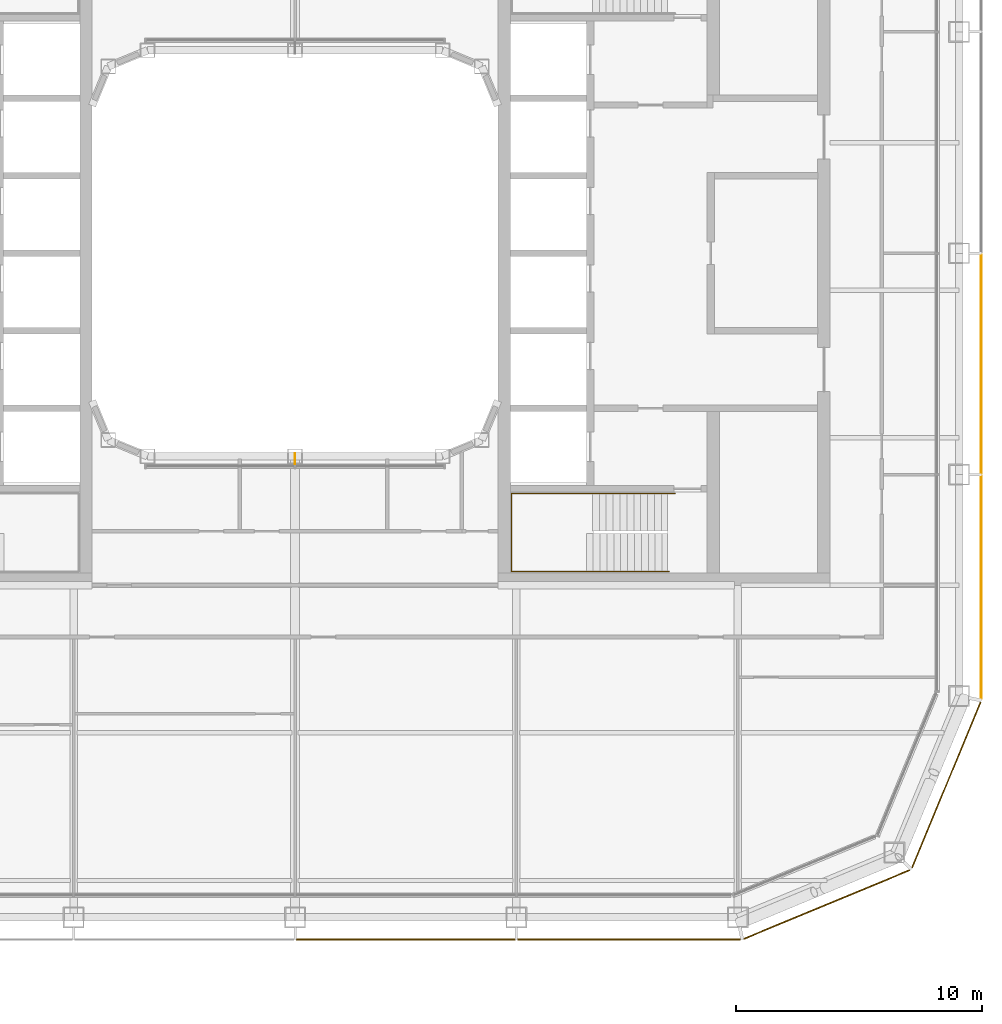
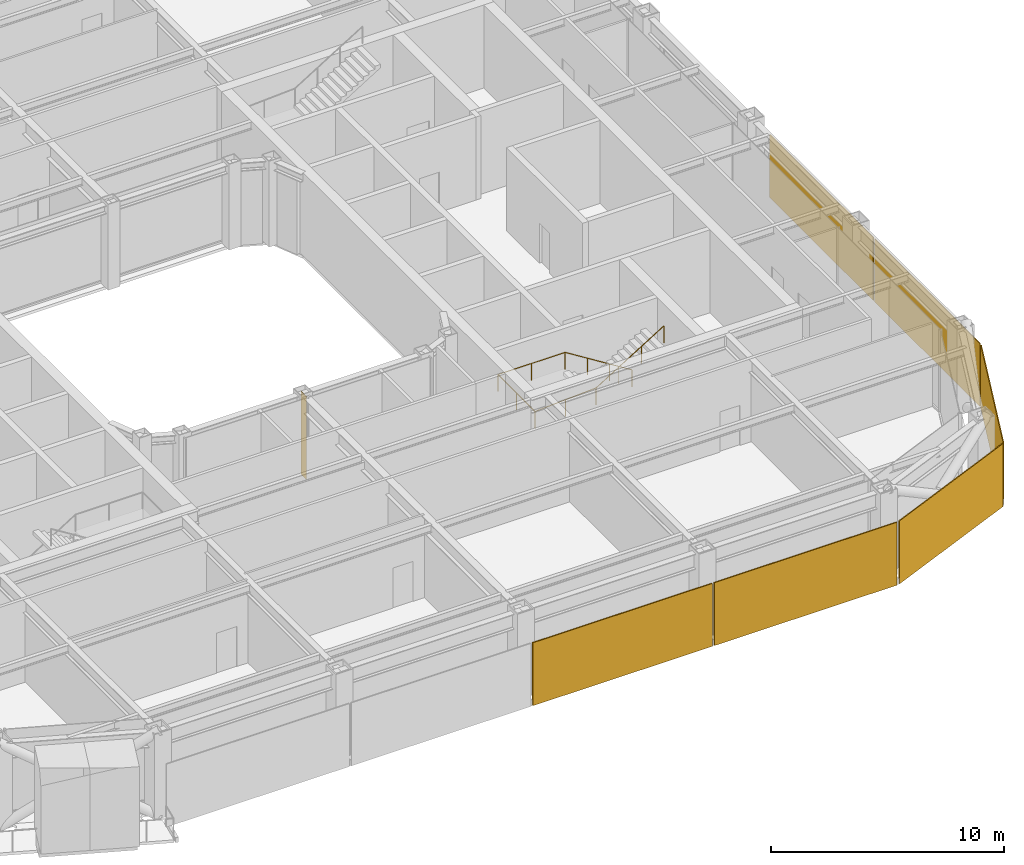
# One storey, part 20 of 23: 6 coverings, 1 railing, 1 shading device.
"""IFC4 building model written with IfcOpenShell, lengths in metres."""

from ifc_helpers import new_model, si_unit, direction, frame, origin, origin_2d, place, context, subcontext, project, spatial, rectangle, circle, extrude, material, layer, layer_set, type_object, element, save


model = new_model("IFC4")

# Units and contexts
model_context = context("Model", 3, precision=1e-05, world=origin(), true_north=direction((0.0, 1.0)))
body_context = subcontext(model_context, "Body", "Model", "MODEL_VIEW")
ifc_project = project(units=[si_unit("LENGTHUNIT", "METRE"), si_unit("AREAUNIT", "SQUARE_METRE"), si_unit("VOLUMEUNIT", "CUBIC_METRE"), si_unit("PLANEANGLEUNIT", "RADIAN"), si_unit("MASSUNIT", "GRAM", prefix="KILO")], contexts=[model_context])

# Site, building, storey
site_placement = place(None, origin())
site = spatial("IfcSite", under=ifc_project, at=site_placement, CompositionType="ELEMENT")
building_placement = place(site_placement, origin())
building = spatial("IfcBuilding", under=site, at=building_placement, Name="Siwar Civic Tower", CompositionType="ELEMENT")
storey_placement = place(building_placement, frame((0.0, 0.0, 233.199951171875)))
storey = spatial("IfcBuildingStorey", under=building, at=storey_placement, Name="L50", CompositionType="ELEMENT", Elevation=233.199951171875)

# Railing
ifc_material_1 = material(Name="Stainless steel", Category="steel")
railing_type = type_object("IfcRailingType", Name="CORE-STAIR-HANDRAIL", PredefinedType="HANDRAIL", material=ifc_material_1)
railing_placement = place(storey_placement, frame((15.449951171875, -9.758056640625, 0.173095703125)))
element("IfcRailing", 1, at=railing_placement, inside=storey, type_object=railing_type, Name="Stair handrail ST4", PredefinedType="HANDRAIL", context=body_context, shape_type="SweptSolid", body=[
    extrude(circle(Radius=0.02001953125, at=origin_2d()), frame((0.0, 0.0, 0.8798828125), z_axis=(-0.847063342986, 0.0, 0.531491950051), x_axis=(0.0, -1.0, 0.0)), (0.0, 0.0, 1.0), 3.90771484375),
    extrude(circle(Radius=0.02001953125, at=origin_2d()), frame((-3.31005859375, 0.0, 2.956787109375), z_axis=(-1.0, 0.0, 0.0), x_axis=(0.0, -1.0, 0.0)), (0.0, 0.0, 1.0), 3.331787109375),
    extrude(circle(Radius=0.02001953125, at=origin_2d()), frame((-6.641845703125, 0.0, 2.956787109375), z_axis=(0.0, -1.0, 0.0), x_axis=(1.0, 0.0, 0.0)), (0.0, 0.0, 1.0), 3.183837890625),
    extrude(circle(Radius=0.02001953125, at=origin_2d()), frame((-6.641845703125, -3.183837890625, 2.956787109375), z_axis=(0.99837434197, 0.0, 0.056997134106), x_axis=(0.0, 1.0, 0.0)), (0.0, 0.0, 1.0), 3.036865234375),
    extrude(circle(Radius=0.02001953125, at=origin_2d()), frame((-3.60986328125, -3.183837890625, 3.1298828125), z_axis=(0.850606129759, 0.0, 0.525803396734), x_axis=(0.0, 1.0, 0.0)), (0.0, 0.0, 1.0), 3.949951171875),
    extrude(circle(Radius=0.02001953125, at=origin_2d()), origin(), (0.0, 0.0, 1.0), 0.85986328125),
    extrude(circle(Radius=0.02001953125, at=origin_2d()), frame((-1.103271484375, 0.0, 0.6923828125)), (0.0, 0.0, 1.0), 0.85986328125),
    extrude(circle(Radius=0.02001953125, at=origin_2d()), frame((-2.206787109375, 0.0, 1.384521484375)), (0.0, 0.0, 1.0), 0.85986328125),
    extrude(circle(Radius=0.02001953125, at=origin_2d()), frame((-3.31005859375, 0.0, 2.076904296875)), (0.0, 0.0, 1.0), 0.85986328125),
    extrude(circle(Radius=0.02001953125, at=origin_2d()), frame((-4.97607421875, 0.0, 2.076904296875)), (0.0, 0.0, 1.0), 0.85986328125),
    extrude(circle(Radius=0.02001953125, at=origin_2d()), frame((-6.641845703125, 0.0, 2.076904296875)), (0.0, 0.0, 1.0), 0.85986328125),
    extrude(circle(Radius=0.02001953125, at=origin_2d()), frame((-6.641845703125, -1.591796875, 2.076904296875)), (0.0, 0.0, 1.0), 0.85986328125),
    extrude(circle(Radius=0.02001953125, at=origin_2d()), frame((-6.641845703125, -3.183837890625, 2.076904296875)), (0.0, 0.0, 1.0), 0.85986328125),
    extrude(circle(Radius=0.02001953125, at=origin_2d()), frame((-5.1259765625, -3.183837890625, 2.16357421875)), (0.0, 0.0, 1.0), 0.85986328125),
    extrude(circle(Radius=0.02001953125, at=origin_2d()), frame((-3.60986328125, -3.183837890625, 2.25)), (0.0, 0.0, 1.0), 0.85986328125),
    extrude(circle(Radius=0.02001953125, at=origin_2d()), frame((-2.489990234375, -3.183837890625, 2.9423828125)), (0.0, 0.0, 1.0), 0.85986328125),
    extrude(circle(Radius=0.02001953125, at=origin_2d()), frame((-1.369873046875, -3.183837890625, 3.634521484375)), (0.0, 0.0, 1.0), 0.85986328125),
    extrude(circle(Radius=0.02001953125, at=origin_2d()), frame((-0.25, -3.183837890625, 4.326904296875)), (0.0, 0.0, 1.0), 0.85986328125),
])

# Shading device
ifc_material_2 = material(Name="Aluminium 6063-T6", Category="aluminium")
ifc_layer_1 = layer(ifc_material_2, 0.02001953125)
ifc_layer_set_1 = layer_set([ifc_layer_1], Name="Aluminium 6063-T6")
shading_device_type = type_object("IfcShadingDeviceType", Name="ENV-FIN", PredefinedType="JALOUSIE", material=ifc_layer_set_1)
shading_device_placement = place(storey_placement, frame((0.0, -8.344970703125, 0.0), z_axis=(0.0, 0.0, 1.0), x_axis=(1.0, 0.0, 0.0)))
element("IfcShadingDevice", 2, at=shading_device_placement, inside=storey, type_object=shading_device_type, Name="SUNSHADE fin WS 1", PredefinedType="JALOUSIE", context=body_context, shape_type="SweptSolid", body=[
    extrude(rectangle(XDim=0.02001953125, YDim=0.449951171875, at=origin_2d()), origin(), (0.0, 0.0, 1.0), 4.35009765625),
])

# Coverings
ifc_material_3 = material(Name="Perforated aluminium cassette, pale metal", Category="aluminium")
ifc_layer_2 = layer(ifc_material_3, 0.0400390625)
ifc_layer_set_2 = layer_set([ifc_layer_2], Name="Perforated aluminium cassette, pale metal")
covering_type_1 = type_object("IfcCoveringType", Name="ENV-OUTER SKIN OS-1", PredefinedType="CLADDING", material=ifc_layer_set_2)
covering_1_placement = place(storey_placement, frame((27.89990234375, -13.57958984375, -0.14990234375), z_axis=(0.0, 0.0, 1.0), x_axis=(0.0, 1.0, 0.0)))
element("IfcCovering", 3, at=covering_1_placement, inside=storey, type_object=covering_type_1, Name="OUTER SKIN OS-1 E 1", PredefinedType="CLADDING", context=body_context, shape_type="SweptSolid", body=[
    extrude(rectangle(XDim=9.05908203125, YDim=0.0400390625, at=origin_2d()), origin(), (0.0, 0.0, 1.0), 3.300048828125),
])
covering_2_placement = place(storey_placement, frame((27.89990234375, -4.5, -0.14990234375), z_axis=(0.0, 0.0, 1.0), x_axis=(0.0, 1.0, 0.0)))
element("IfcCovering", 4, at=covering_2_placement, inside=storey, type_object=covering_type_1, Name="OUTER SKIN OS-1 E 2", PredefinedType="CLADDING", context=body_context, shape_type="SweptSolid", body=[
    extrude(rectangle(XDim=8.89990234375, YDim=0.0400390625, at=origin_2d()), origin(), (0.0, 0.0, 1.0), 3.300048828125),
])
ifc_material_4 = material(Name="Perforated aluminium cassette, pale metal", Category="aluminium")
ifc_layer_3 = layer(ifc_material_4, 0.044921875)
ifc_layer_set_3 = layer_set([ifc_layer_3], Name="Perforated aluminium cassette, pale metal")
covering_type_2 = type_object("IfcCoveringType", Name="ENV-OUTER SKIN OS-2", PredefinedType="CLADDING", material=ifc_layer_set_3)
covering_3_placement = place(storey_placement, frame((26.476318359375, -21.615966796875, -0.14990234375), z_axis=(0.0, 0.0, 1.0), x_axis=(0.382683432365, 0.923879532511, 0.0)))
element("IfcCovering", 5, at=covering_3_placement, inside=storey, type_object=covering_type_2, Name="OUTER SKIN OS-2 SE2 1", PredefinedType="CLADDING", context=body_context, shape_type="SweptSolid", body=[
    extrude(rectangle(XDim=7.300048828125, YDim=0.044921875, at=origin_2d()), origin(), (0.0, 0.0, 1.0), 3.300048828125),
])
ifc_material_5 = material(Name="Perforated aluminium cassette, pale metal", Category="aluminium")
ifc_layer_4 = layer(ifc_material_5, 0.050048828125)
ifc_layer_set_4 = layer_set([ifc_layer_4], Name="Perforated aluminium cassette, pale metal")
covering_type_3 = type_object("IfcCoveringType", Name="ENV-OUTER SKIN OS-3", PredefinedType="CLADDING", material=ifc_layer_set_4)
covering_4_placement = place(storey_placement, frame((21.615966796875, -26.476318359375, -0.14990234375), z_axis=(0.0, 0.0, 1.0), x_axis=(0.923879532511, 0.382683432365, 0.0)))
element("IfcCovering", 6, at=covering_4_placement, inside=storey, type_object=covering_type_3, Name="OUTER SKIN OS-3 SE1 1", PredefinedType="CLADDING", context=body_context, shape_type="SweptSolid", body=[
    extrude(rectangle(XDim=7.300048828125, YDim=0.050048828125, at=origin_2d()), origin(), (0.0, 0.0, 1.0), 3.300048828125),
])
ifc_material_6 = material(Name="Perforated aluminium cassette, pale metal", Category="aluminium")
ifc_layer_5 = layer(ifc_material_6, 0.054931640625)
ifc_layer_set_5 = layer_set([ifc_layer_5], Name="Perforated aluminium cassette, pale metal")
covering_type_4 = type_object("IfcCoveringType", Name="ENV-OUTER SKIN OS-4", PredefinedType="CLADDING", material=ifc_layer_set_5)
covering_5_placement = place(storey_placement, frame((4.5, -27.89990234375, -0.14990234375), z_axis=(0.0, 0.0, 1.0), x_axis=(1.0, 0.0, 0.0)))
element("IfcCovering", 7, at=covering_5_placement, inside=storey, type_object=covering_type_4, Name="OUTER SKIN OS-4 S 3", PredefinedType="CLADDING", context=body_context, shape_type="SweptSolid", body=[
    extrude(rectangle(XDim=8.89990234375, YDim=0.054931640625, at=origin_2d()), origin(), (0.0, 0.0, 1.0), 3.300048828125),
])
covering_6_placement = place(storey_placement, frame((13.57958984375, -27.89990234375, -0.14990234375), z_axis=(0.0, 0.0, 1.0), x_axis=(1.0, 0.0, 0.0)))
element("IfcCovering", 8, at=covering_6_placement, inside=storey, type_object=covering_type_4, Name="OUTER SKIN OS-4 S 4", PredefinedType="CLADDING", context=body_context, shape_type="SweptSolid", body=[
    extrude(rectangle(XDim=9.05908203125, YDim=0.054931640625, at=origin_2d()), origin(), (0.0, 0.0, 1.0), 3.300048828125),
])

save(model, "model.ifc")
